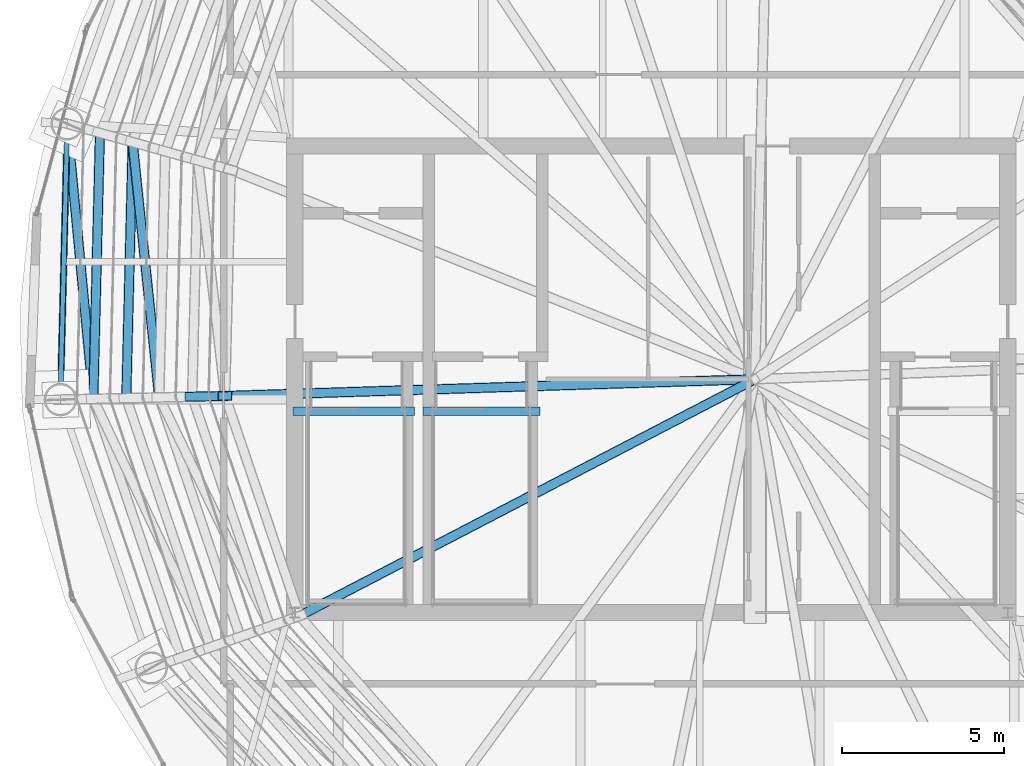
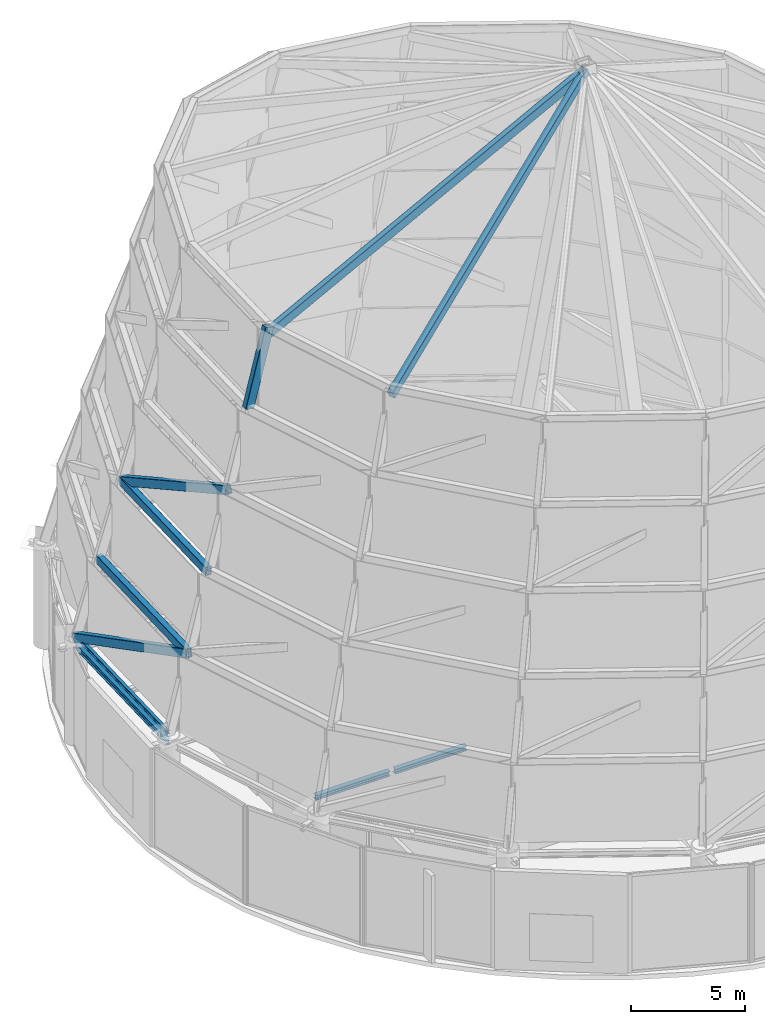
# One storey, part 12 of 40: 7 members, 4 beams.
"""IFC4 building model written with IfcOpenShell, lengths in metres."""

from ifc_helpers import new_model, si_unit, direction, frame, origin, origin_2d, place, context, subcontext, project, spatial, hollow_rectangle, i_section, extrude, material, material_profile, profile_set, type_object, element, save


model = new_model("IFC4")

# Units and contexts
model_context = context("Model", 3, precision=1e-05, world=origin(), true_north=direction((0.0, 1.0)))
body_context = subcontext(model_context, "Body", "Model", "MODEL_VIEW")
ifc_project = project(units=[si_unit("LENGTHUNIT", "METRE"), si_unit("AREAUNIT", "SQUARE_METRE"), si_unit("VOLUMEUNIT", "CUBIC_METRE"), si_unit("PLANEANGLEUNIT", "RADIAN"), si_unit("MASSUNIT", "GRAM", prefix="KILO")], contexts=[model_context])

# Site, building, storey
site_placement = place(None, origin())
site = spatial("IfcSite", under=ifc_project, at=site_placement, CompositionType="ELEMENT")
building_placement = place(site_placement, origin())
building = spatial("IfcBuilding", under=site, at=building_placement, Name="Bramvorn Convention Spire", CompositionType="ELEMENT")
storey_placement = place(building_placement, frame((0.0, 0.0, 312.5)))
storey = spatial("IfcBuildingStorey", under=building, at=storey_placement, Name="L79", CompositionType="ELEMENT", Elevation=312.5)

# Beams
ifc_material = material(Name="Steel CSA G40.21 Grade 350 (350W)", Category="steel")
ifc_material_profile_1 = material_profile(ifc_material, i_section(OverallWidth=0.152099609375, OverallDepth=0.152099609375, WebThickness=0.005859375, FlangeThickness=0.006591796875, FilletRadius=0.008056640625, at=origin_2d()))
ifc_profile_set_1 = profile_set([ifc_material_profile_1], Name="Steel CSA G40.21 Grade 350 (350W) - W150X22")
beam_type_1 = type_object("IfcBeamType", Name="BM-W150X22", PredefinedType="USERDEFINED", material=ifc_profile_set_1)
beam_1_placement = place(storey_placement, frame((19.976318359375, 33.883544921875, 5.60009765625), z_axis=(-0.024770853371, -0.999693155335, 0.0), x_axis=(0.999693155335, -0.024770853371, 0.0)))
element("IfcBeam", 1, at=beam_1_placement, inside=storey, type_object=beam_type_1, Name="Crown spire base glazing purlin 11", ObjectType="PURLIN", PredefinedType="USERDEFINED", context=body_context, shape_type="SweptSolid", body=[
    extrude(i_section(OverallWidth=0.152099609375, OverallDepth=0.152099609375, WebThickness=0.005859375, FlangeThickness=0.006591796875, FilletRadius=0.008056640625, at=origin_2d()), origin(), (0.0, 0.0, 1.0), 8.515625),
])
ifc_material_profile_2 = material_profile(ifc_material, i_section(OverallWidth=0.25390625, OverallDepth=0.2529296875, WebThickness=0.008544921875, FlangeThickness=0.01416015625, FilletRadius=0.011962890625, at=origin_2d()))
ifc_profile_set_2 = profile_set([ifc_material_profile_2], Name="Steel CSA G40.21 Grade 350 (350W) - W250X73")
beam_type_2 = type_object("IfcBeamType", Name="BM-W250X73", PredefinedType="BEAM", material=ifc_profile_set_2)
beam_2_placement = place(storey_placement, frame((26.949951171875, 25.010009765625, -0.12646484375), z_axis=(1.0, 0.0, 0.0), x_axis=(0.0, 1.0, 0.0)))
element("IfcBeam", 2, at=beam_2_placement, inside=storey, type_object=beam_type_2, Name="L79 ST1 stair arrival header beam", PredefinedType="BEAM", context=body_context, shape_type="SweptSolid", body=[
    extrude(i_section(OverallWidth=0.25390625, OverallDepth=0.2529296875, WebThickness=0.008544921875, FlangeThickness=0.01416015625, FilletRadius=0.011962890625, at=origin_2d()), origin(), (0.0, 0.0, 1.0), 3.739990234375),
])
beam_3_placement = place(storey_placement, frame((30.949951171875, 25.010009765625, -0.12646484375), z_axis=(1.0, 0.0, 0.0), x_axis=(0.0, 1.0, 0.0)))
element("IfcBeam", 3, at=beam_3_placement, inside=storey, type_object=beam_type_2, Name="L79 ST3 stair arrival header beam", PredefinedType="BEAM", context=body_context, shape_type="SweptSolid", body=[
    extrude(i_section(OverallWidth=0.25390625, OverallDepth=0.2529296875, WebThickness=0.008544921875, FlangeThickness=0.01416015625, FilletRadius=0.011962890625, at=origin_2d()), origin(), (0.0, 0.0, 1.0), 3.610107421875),
])
ifc_material_profile_3 = material_profile(ifc_material, i_section(OverallWidth=0.202880859375, OverallDepth=0.302978515625, WebThickness=0.007568359375, FlangeThickness=0.01318359375, FilletRadius=0.013916015625, at=origin_2d()))
ifc_profile_set_3 = profile_set([ifc_material_profile_3], Name="Steel CSA G40.21 Grade 350 (350W) - W310X60")
beam_type_3 = type_object("IfcBeamType", Name="BM-W310X60", PredefinedType="JOIST", material=ifc_profile_set_3)
beam_4_placement = place(storey_placement, frame((19.976318359375, 33.883544921875, 5.098388671875), z_axis=(-0.024770853371, -0.999693155335, 0.0), x_axis=(0.999693155335, -0.024770853371, 0.0)))
element("IfcBeam", 4, at=beam_4_placement, inside=storey, type_object=beam_type_3, Name="L79 mega-column ring beam 11", PredefinedType="JOIST", context=body_context, shape_type="SweptSolid", body=[
    extrude(i_section(OverallWidth=0.202880859375, OverallDepth=0.302978515625, WebThickness=0.007568359375, FlangeThickness=0.01318359375, FilletRadius=0.013916015625, at=origin_2d()), origin(), (0.0, 0.0, 1.0), 8.515625),
])

# Members
ifc_material_profile_4 = material_profile(ifc_material, hollow_rectangle(XDim=0.300048828125, YDim=0.449951171875, WallThickness=0.02001953125, InnerFilletRadius=0.00390625, OuterFilletRadius=0.02392578125, at=origin_2d()))
ifc_profile_set_4 = profile_set([ifc_material_profile_4], Name="Steel CSA G40.21 Grade 350 (350W) - CROWN450X300X20")
member_type = type_object("IfcMemberType", Name="MBR-CROWN450X300X20", PredefinedType="USERDEFINED", material=ifc_profile_set_4)
member_1_placement = place(storey_placement, frame((20.985107421875, 33.599609375, 9.5), z_axis=(-0.024774471892, -0.999693065667, 0.0), x_axis=(0.999693065667, -0.024774471892, 0.0)))
element("IfcMember", 5, at=member_1_placement, inside=storey, type_object=member_type, Name="Crown spire CROWN FRAME ring beam T1-11", ObjectType="CROWN FRAME", PredefinedType="USERDEFINED", context=body_context, shape_type="SweptSolid", body=[
    extrude(hollow_rectangle(XDim=0.300048828125, YDim=0.449951171875, WallThickness=0.02001953125, InnerFilletRadius=0.00390625, OuterFilletRadius=0.02392578125, at=origin_2d()), origin(), (0.0, 0.0, 1.0), 8.208740234375),
])
member_2_placement = place(storey_placement, frame((19.976318359375, 33.883544921875, 5.5), z_axis=(0.08550279686, -0.901317145677, 0.424637109351), x_axis=(0.99553052857, 0.094440281049, 0.0)))
element("IfcMember", 6, at=member_2_placement, inside=storey, type_object=member_type, Name="Crown spire CROWN FRAME wind brace T1-11", ObjectType="CROWN FRAME", PredefinedType="USERDEFINED", context=body_context, shape_type="SweptSolid", body=[
    extrude(hollow_rectangle(XDim=0.300048828125, YDim=0.449951171875, WallThickness=0.02001953125, InnerFilletRadius=0.00390625, OuterFilletRadius=0.02392578125, at=origin_2d()), origin(), (0.0, 0.0, 1.0), 9.419921875),
])
member_3_placement = place(storey_placement, frame((21.993896484375, 33.31591796875, 13.5), z_axis=(-0.024745965918, -0.999693771698, 0.0), x_axis=(0.999693771698, -0.024745965918, 0.0)))
element("IfcMember", 7, at=member_3_placement, inside=storey, type_object=member_type, Name="Crown spire CROWN FRAME ring beam T2-11", ObjectType="CROWN FRAME", PredefinedType="USERDEFINED", context=body_context, shape_type="SweptSolid", body=[
    extrude(hollow_rectangle(XDim=0.300048828125, YDim=0.449951171875, WallThickness=0.02001953125, InnerFilletRadius=0.00390625, OuterFilletRadius=0.02392578125, at=origin_2d()), origin(), (0.0, 0.0, 1.0), 7.902587890625),
])
member_4_placement = place(storey_placement, frame((21.993896484375, 33.31591796875, 13.5), z_axis=(0.092506811393, -0.887812247589, 0.450812491926), x_axis=(0.994615364295, 0.103635308212, 0.0)))
element("IfcMember", 8, at=member_4_placement, inside=storey, type_object=member_type, Name="Crown spire CROWN FRAME wind brace T3-11", ObjectType="CROWN FRAME", PredefinedType="USERDEFINED", context=body_context, shape_type="SweptSolid", body=[
    extrude(hollow_rectangle(XDim=0.300048828125, YDim=0.449951171875, WallThickness=0.02001953125, InnerFilletRadius=0.00390625, OuterFilletRadius=0.02392578125, at=origin_2d()), origin(), (0.0, 0.0, 1.0), 8.872802734375),
])
member_5_placement = place(storey_placement, frame((23.831298828125, 25.461181640625, 21.5), z_axis=(0.246260378072, 0.005501372847, 0.969188093761), x_axis=(-0.022334086566, 0.999750563179, 0.0)))
element("IfcMember", 9, at=member_5_placement, inside=storey, type_object=member_type, Name="Crown spire CROWN FRAME rib T5-12", ObjectType="CROWN FRAME", PredefinedType="USERDEFINED", context=body_context, shape_type="SweptSolid", body=[
    extrude(hollow_rectangle(XDim=0.300048828125, YDim=0.449951171875, WallThickness=0.02001953125, InnerFilletRadius=0.00390625, OuterFilletRadius=0.02392578125, at=origin_2d()), origin(), (0.0, 0.0, 1.0), 4.127197265625),
])
member_6_placement = place(storey_placement, frame((24.84765625, 25.48388671875, 25.1201171875), z_axis=(0.897903356721, 0.028339743742, 0.439279433748), x_axis=(-0.031546422555, 0.999502287753, 0.0)))
element("IfcMember", 10, at=member_6_placement, inside=storey, type_object=member_type, Name="Crown glass-point apex rafter 12", ObjectType="CROWN FRAME", PredefinedType="USERDEFINED", context=body_context, shape_type="SweptSolid", body=[
    extrude(hollow_rectangle(XDim=0.300048828125, YDim=0.449951171875, WallThickness=0.02001953125, InnerFilletRadius=0.00390625, OuterFilletRadius=0.02392578125, at=origin_2d()), origin(), (0.0, 0.0, 1.0), 18.211669921875),
])
member_7_placement = place(storey_placement, frame((27.145263671875, 18.69384765625, 25.1201171875), z_axis=(0.791999921713, 0.411711187764, 0.450810405689), x_axis=(-0.461239176133, 0.887275843467, 0.0)))
element("IfcMember", 11, at=member_7_placement, inside=storey, type_object=member_type, Name="Crown glass-point apex rafter 13", ObjectType="CROWN FRAME", PredefinedType="USERDEFINED", context=body_context, shape_type="SweptSolid", body=[
    extrude(hollow_rectangle(XDim=0.300048828125, YDim=0.449951171875, WallThickness=0.02001953125, InnerFilletRadius=0.00390625, OuterFilletRadius=0.02392578125, at=origin_2d()), origin(), (0.0, 0.0, 1.0), 17.745849609375),
])

save(model, "model.ifc")
